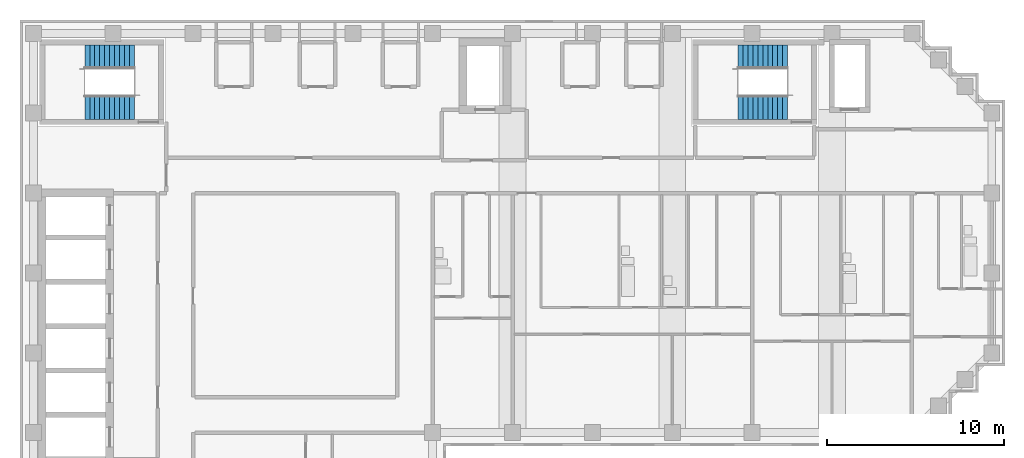
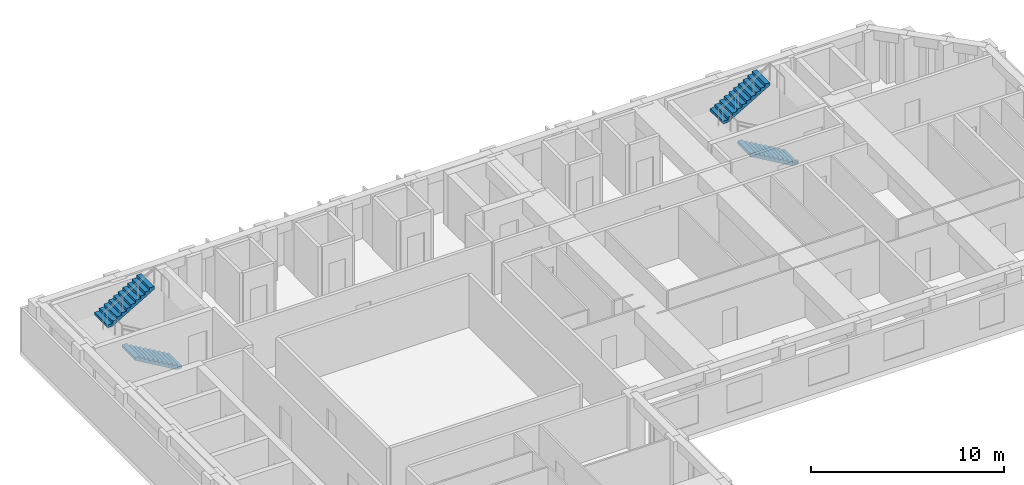
# One storey, part 7 of 9: 4 stair flights, 2 elements without a shape of their own.
"""IFC4 building model written with IfcOpenShell, lengths in metres."""

from ifc_helpers import new_model, si_unit, direction, frame, origin, place, context, subcontext, project, spatial, polyline, outline, extrude, material, type_object, element, aggregate, save


model = new_model("IFC4")

# Units and contexts
model_context = context("Model", 3, precision=1e-05, world=origin(), true_north=direction((0.0, 1.0)))
body_context = subcontext(model_context, "Body", "Model", "MODEL_VIEW")
ifc_project = project(units=[si_unit("LENGTHUNIT", "METRE"), si_unit("AREAUNIT", "SQUARE_METRE"), si_unit("VOLUMEUNIT", "CUBIC_METRE"), si_unit("PLANEANGLEUNIT", "RADIAN"), si_unit("MASSUNIT", "GRAM", prefix="KILO")], contexts=[model_context])

# Site, building, storey
site_placement = place(None, origin())
site = spatial("IfcSite", under=ifc_project, at=site_placement, CompositionType="ELEMENT")
building_placement = place(site_placement, origin())
building = spatial("IfcBuilding", under=site, at=building_placement, Name="Firuza Court", CompositionType="ELEMENT")
storey_placement = place(building_placement, frame((0.0, 0.0, 218.60009765625)))
storey = spatial("IfcBuildingStorey", under=building, at=storey_placement, Name="L56", CompositionType="ELEMENT", Elevation=218.60009765625)

# Stair, stair flights
ifc_material_1 = material(Name="Concrete C40/50 precast", Category="concrete")
stair_type = type_object("IfcStairType", Name="Stair 1350 x 3600 2 flights", PredefinedType="HALF_TURN_STAIR", material=ifc_material_1)
stair_1_placement = place(storey_placement, origin())
stair_1 = element("IfcStair", 1, at=stair_1_placement, inside=storey, type_object=stair_type, Name="Stair 1 L56", PredefinedType="HALF_TURN_STAIR")
ifc_material_2 = material(Name="Concrete C40/50 precast", Category="concrete")
stair_flight_type = type_object("IfcStairFlightType", Name="Flight 1350 riser 163.6", PredefinedType="STRAIGHT", material=ifc_material_2)
stair_flight_1_placement = place(storey_placement, frame((42.5, 54.324951171875, 0.0), z_axis=(0.0, 0.0, 1.0), x_axis=(-1.0, 0.0, 0.0)))
stair_flight_1 = element("IfcStairFlight", 2, at=stair_flight_1_placement, type_object=stair_flight_type, Name="S1 flight 1", NumberOfRisers=11, NumberOfTreads=10, PredefinedType="STRAIGHT", RiserHeight=0.163636364, TreadLength=0.28, context=body_context, shape_type="SweptSolid", body=[
    extrude(outline(polyline([(0.0, 0.0), (0.0, 0.16357421875), (0.280029296875, 0.16357421875), (0.280029296875, 0.327392578125), (0.56005859375, 0.327392578125), (0.56005859375, 0.490966796875), (0.840087890625, 0.490966796875), (0.840087890625, 0.654541015625), (1.1201171875, 0.654541015625), (1.1201171875, 0.818115234375), (1.39990234375, 0.818115234375), (1.39990234375, 0.98193359375), (1.679931640625, 0.98193359375), (1.679931640625, 1.1455078125), (1.9599609375, 1.1455078125), (1.9599609375, 1.30908203125), (2.239990234375, 1.30908203125), (2.239990234375, 1.47265625), (2.52001953125, 1.47265625), (2.52001953125, 1.636474609375), (2.800048828125, 1.636474609375), (2.800048828125, 1.800048828125), (2.800048828125, 1.462646484375), (0.297119140625, 0.0), (0.0, 0.0)])), frame((0.0, 0.675048828125, 0.0), z_axis=(0.0, -1.0, 0.0), x_axis=(1.0, 0.0, 0.0)), (0.0, 0.0, 1.0), 1.35009765625),
])
stair_flight_2_placement = place(storey_placement, frame((39.699951171875, 57.175048828125, 1.7998046875), z_axis=(0.0, 0.0, 1.0), x_axis=(1.0, 0.0, 0.0)))
stair_flight_2 = element("IfcStairFlight", 3, at=stair_flight_2_placement, type_object=stair_flight_type, Name="S1 flight 2", NumberOfRisers=11, NumberOfTreads=10, PredefinedType="STRAIGHT", RiserHeight=0.163636364, TreadLength=0.28, context=body_context, shape_type="SweptSolid", body=[
    extrude(outline(polyline([(0.0, 0.0), (0.0, 0.16357421875), (0.280029296875, 0.16357421875), (0.280029296875, 0.327392578125), (0.56005859375, 0.327392578125), (0.56005859375, 0.490966796875), (0.840087890625, 0.490966796875), (0.840087890625, 0.654541015625), (1.1201171875, 0.654541015625), (1.1201171875, 0.818115234375), (1.39990234375, 0.818115234375), (1.39990234375, 0.98193359375), (1.679931640625, 0.98193359375), (1.679931640625, 1.1455078125), (1.9599609375, 1.1455078125), (1.9599609375, 1.30908203125), (2.239990234375, 1.30908203125), (2.239990234375, 1.47265625), (2.52001953125, 1.47265625), (2.52001953125, 1.636474609375), (2.800048828125, 1.636474609375), (2.800048828125, 1.800048828125), (2.800048828125, 1.462646484375), (0.297119140625, 0.0), (0.0, 0.0)])), frame((0.0, 0.675048828125, 0.0), z_axis=(0.0, -1.0, 0.0), x_axis=(1.0, 0.0, 0.0)), (0.0, 0.0, 1.0), 1.35009765625),
])
aggregate(stair_1, [stair_flight_1, stair_flight_2])

stair_2_placement = place(storey_placement, origin())
stair_2 = element("IfcStair", 4, at=stair_2_placement, inside=storey, type_object=stair_type, Name="Stair 3 L56", PredefinedType="HALF_TURN_STAIR")
stair_flight_3_placement = place(storey_placement, frame((5.699951171875, 54.324951171875, 0.0), z_axis=(0.0, 0.0, 1.0), x_axis=(-1.0, 0.0, 0.0)))
stair_flight_3 = element("IfcStairFlight", 5, at=stair_flight_3_placement, type_object=stair_flight_type, Name="S3 flight 1", NumberOfRisers=11, NumberOfTreads=10, PredefinedType="STRAIGHT", RiserHeight=0.163636364, TreadLength=0.28, context=body_context, shape_type="SweptSolid", body=[
    extrude(outline(polyline([(0.0, 0.0), (0.0, 0.16357421875), (0.280029296875, 0.16357421875), (0.280029296875, 0.327392578125), (0.56005859375, 0.327392578125), (0.56005859375, 0.490966796875), (0.840087890625, 0.490966796875), (0.840087890625, 0.654541015625), (1.1201171875, 0.654541015625), (1.1201171875, 0.818115234375), (1.39990234375, 0.818115234375), (1.39990234375, 0.98193359375), (1.679931640625, 0.98193359375), (1.679931640625, 1.1455078125), (1.9599609375, 1.1455078125), (1.9599609375, 1.30908203125), (2.239990234375, 1.30908203125), (2.239990234375, 1.47265625), (2.52001953125, 1.47265625), (2.52001953125, 1.636474609375), (2.800048828125, 1.636474609375), (2.800048828125, 1.800048828125), (2.800048828125, 1.462646484375), (0.297119140625, 0.0), (0.0, 0.0)])), frame((0.0, 0.675048828125, 0.0), z_axis=(0.0, -1.0, 0.0), x_axis=(1.0, 0.0, 0.0)), (0.0, 0.0, 1.0), 1.35009765625),
])
stair_flight_4_placement = place(storey_placement, frame((2.89990234375, 57.175048828125, 1.7998046875), z_axis=(0.0, 0.0, 1.0), x_axis=(1.0, 0.0, 0.0)))
stair_flight_4 = element("IfcStairFlight", 6, at=stair_flight_4_placement, type_object=stair_flight_type, Name="S3 flight 2", NumberOfRisers=11, NumberOfTreads=10, PredefinedType="STRAIGHT", RiserHeight=0.163636364, TreadLength=0.28, context=body_context, shape_type="SweptSolid", body=[
    extrude(outline(polyline([(0.0, 0.0), (0.0, 0.16357421875), (0.280029296875, 0.16357421875), (0.280029296875, 0.327392578125), (0.56005859375, 0.327392578125), (0.56005859375, 0.490966796875), (0.840087890625, 0.490966796875), (0.840087890625, 0.654541015625), (1.1201171875, 0.654541015625), (1.1201171875, 0.818115234375), (1.39990234375, 0.818115234375), (1.39990234375, 0.98193359375), (1.679931640625, 0.98193359375), (1.679931640625, 1.1455078125), (1.9599609375, 1.1455078125), (1.9599609375, 1.30908203125), (2.239990234375, 1.30908203125), (2.239990234375, 1.47265625), (2.52001953125, 1.47265625), (2.52001953125, 1.636474609375), (2.800048828125, 1.636474609375), (2.800048828125, 1.800048828125), (2.800048828125, 1.462646484375), (0.297119140625, 0.0), (0.0, 0.0)])), frame((0.0, 0.675048828125, 0.0), z_axis=(0.0, -1.0, 0.0), x_axis=(1.0, 0.0, 0.0)), (0.0, 0.0, 1.0), 1.35009765625),
])
aggregate(stair_2, [stair_flight_3, stair_flight_4])

save(model, "model.ifc")
